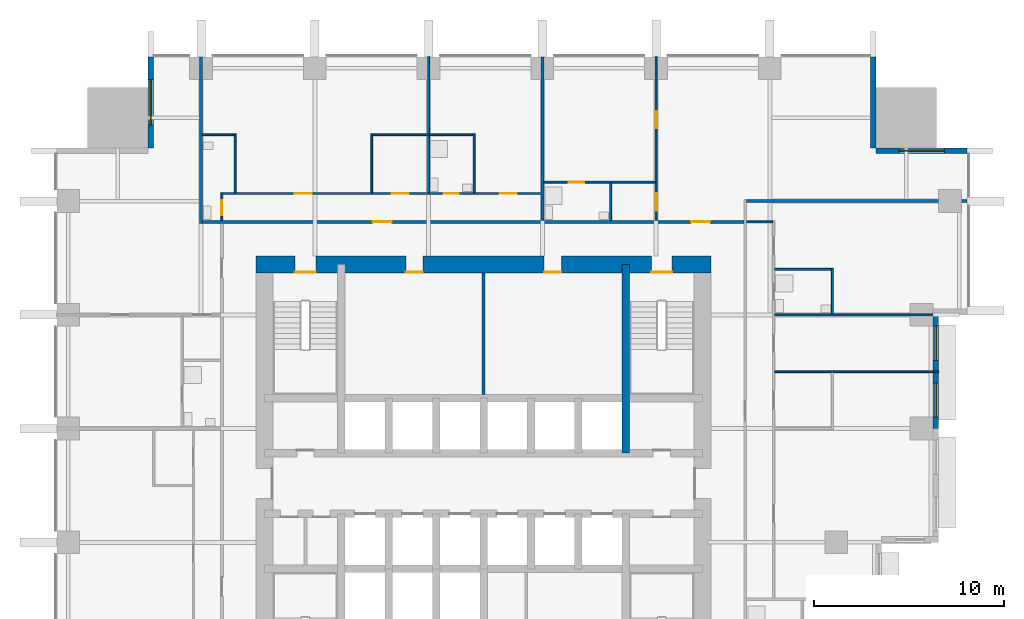
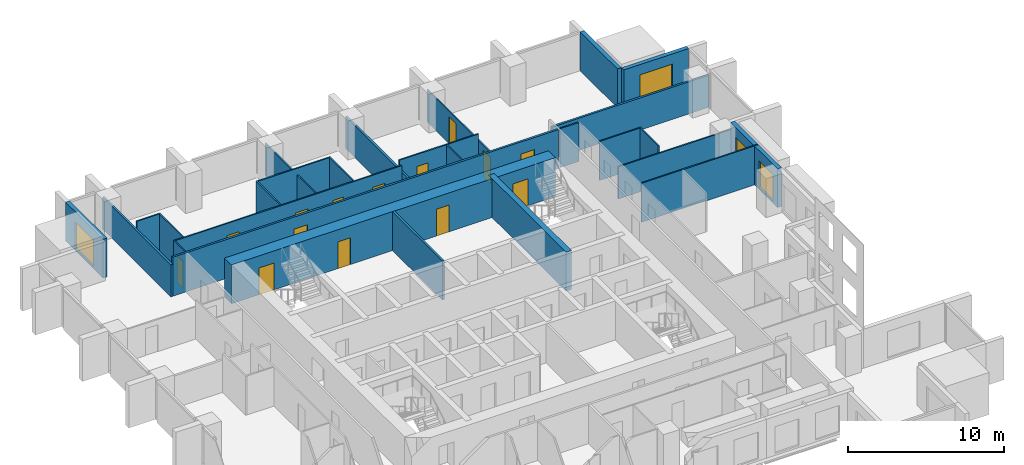
# One storey, part 7 of 10: 27 walls, 14 doors, 4 windows, 18 openings.
"""IFC4 building model written with IfcOpenShell, lengths in metres."""

import ifcopenshell
import ifcopenshell.guid

model = None  # the IFC model being written
_history = None  # IfcOwnerHistory: only IFC2X3 demands one
_inside = {}  # id of a spatial element -> (the spatial element, [elements in it])
_under = {}  # id of a project, library or spatial element -> (it, [spatial elements below it])
_declared = {}  # id of a project -> (the project, [libraries it declares])
_typed = {}  # id of a type object -> (the type object, [elements of that type])
_made_of = {}  # id of a material, layer set ... -> (it, [elements and type objects made of it])


def new_model(schema):
    """Start an empty IFC model of exactly this schema.

    Asked for "IFC4X3", IfcOpenShell would pick the latest addendum, in which some entities
    have other attributes; the version numbers below select the first issue.
    IFC2X3 requires an IfcOwnerHistory on every rooted entity: one is made here for all.
    """
    global model, _history
    if schema == "IFC4X3":
        model = ifcopenshell.file(schema_version=(4, 3, 0, 0))
    else:
        model = ifcopenshell.file(schema=schema)
    _inside.clear()
    _under.clear()
    _declared.clear()
    _typed.clear()
    _made_of.clear()
    _history = None
    if model.schema == "IFC2X3":
        org = make("IfcOrganization", Name="unknown")
        user = make(
            "IfcPersonAndOrganization",
            ThePerson=make("IfcPerson", FamilyName="unknown"),
            TheOrganization=org,
        )
        app = make(
            "IfcApplication",
            ApplicationDeveloper=org,
            Version="unknown",
            ApplicationFullName="unknown",
            ApplicationIdentifier="unknown",
        )
        _history = make(
            "IfcOwnerHistory",
            OwningUser=user,
            OwningApplication=app,
            ChangeAction="ADDED",
            CreationDate=0,
        )
    return model


def make(cls, **values):
    """One entity of the class cls with the attributes given. An attribute that is None is left unset."""
    return model.create_entity(
        cls, **{name: value for name, value in values.items() if value is not None}
    )


def rooted(cls, **values):
    """An entity with a GlobalId (a new one), such as an element, a storey or a relation."""
    return make(cls, GlobalId=ifcopenshell.guid.new(), OwnerHistory=_history, **values)


def si_unit(unit_type, name, prefix=None):
    """IfcSIUnit, for example si_unit("LENGTHUNIT", "METRE", prefix="MILLI")."""
    return make("IfcSIUnit", UnitType=unit_type, Prefix=prefix, Name=name)


def assignment(units):
    """IfcUnitAssignment: the units of a project."""
    return None if units is None else make("IfcUnitAssignment", Units=units)


def point(xyz):
    """IfcCartesianPoint."""
    return None if xyz is None else make("IfcCartesianPoint", Coordinates=xyz)


def direction(xyz):
    """IfcDirection."""
    return None if xyz is None else make("IfcDirection", DirectionRatios=xyz)


def frame(location, z_axis=None, x_axis=None):
    """IfcAxis2Placement3D, a coordinate frame: its origin and axes. An axis left out is left unset."""
    return make(
        "IfcAxis2Placement3D",
        Location=point(location),
        Axis=direction(z_axis),
        RefDirection=direction(x_axis),
    )


def frame_2d(location, x_axis=None):
    """IfcAxis2Placement2D, a coordinate frame in the plane: its origin and x axis."""
    return make(
        "IfcAxis2Placement2D", Location=point(location), RefDirection=direction(x_axis)
    )


def origin():
    """The frame at (0, 0, 0) with its axes left unset."""
    return frame((0.0, 0.0, 0.0))


def place(relative_to, where):
    """IfcLocalPlacement: puts the frame where relative to a parent placement (None: the world)."""
    return make(
        "IfcLocalPlacement", PlacementRelTo=relative_to, RelativePlacement=where
    )


def context(
    kind, dimensions, precision=None, world=None, true_north=None, identifier=None
):
    """IfcGeometricRepresentationContext, for example the 3D "Model" context."""
    return make(
        "IfcGeometricRepresentationContext",
        ContextIdentifier=identifier,
        ContextType=kind,
        CoordinateSpaceDimension=dimensions,
        Precision=precision,
        WorldCoordinateSystem=world,
        TrueNorth=true_north,
    )


def subcontext(parent, identifier, kind, view, scale=None):
    """IfcGeometricRepresentationSubContext, for example "Body" below "Model"."""
    return make(
        "IfcGeometricRepresentationSubContext",
        ContextIdentifier=identifier,
        ContextType=kind,
        ParentContext=parent,
        TargetScale=scale,
        TargetView=view,
    )


def project(units=None, contexts=None):
    """IfcProject with its units and contexts."""
    return rooted(
        "IfcProject",
        Name="project",
        RepresentationContexts=contexts,
        UnitsInContext=assignment(units),
    )


def spatial(cls, under=None, at=None, **own):
    """A site, building, storey or space (cls), placed at a placement, below another one or the project."""
    s = rooted(cls, ObjectPlacement=at, **own)
    if under is not None:
        _under.setdefault(under.id(), (under, []))[1].append(s)
    return s


def profile(cls, at=None, kind="AREA", **sizes):
    """A parametric profile (cls). Its sizes go by their IFC names, for example OverallWidth=200.0."""
    return make(cls, ProfileType=kind, Position=at, **sizes)


def rectangle(**sizes):
    """IfcRectangleProfileDef."""
    return profile("IfcRectangleProfileDef", **sizes)


def extrude(swept, where, along, depth):
    """IfcExtrudedAreaSolid: the profile swept, set in the frame where, extruded along a direction by depth."""
    return make(
        "IfcExtrudedAreaSolid",
        SweptArea=swept,
        Position=where,
        ExtrudedDirection=direction(along),
        Depth=depth,
    )


def shape(context_of_items, identifier, shape_type, items):
    """IfcShapeRepresentation: the items that make up one representation, for example the "Body"."""
    return make(
        "IfcShapeRepresentation",
        ContextOfItems=context_of_items,
        RepresentationIdentifier=identifier,
        RepresentationType=shape_type,
        Items=items,
    )


def material(Name=None, Category=None):
    """IfcMaterial."""
    return make("IfcMaterial", Name=Name, Category=Category)


def layer(
    of_material, thickness, ventilated=None, Name=None, Category=None, Priority=None
):
    """IfcMaterialLayer: one layer of a wall or slab, of a material (None: an air gap)."""
    return make(
        "IfcMaterialLayer",
        Material=of_material,
        LayerThickness=thickness,
        IsVentilated=ventilated,
        Name=Name,
        Category=Category,
        Priority=Priority,
    )


def layer_set(layers, Name=None):
    """IfcMaterialLayerSet."""
    return make("IfcMaterialLayerSet", MaterialLayers=layers, LayerSetName=Name)


def made_of(thing, what):
    """Note that an element or type object is made of a material, layer set ...; save() writes the relation."""
    if what is not None:
        _made_of.setdefault(what.id(), (what, []))[1].append(thing)
    return thing


def type_object(cls, material=None, **own):
    """A type object (cls), such as IfcWallType, which elements share."""
    return made_of(rooted(cls, **own), material)


def element(
    cls,
    number,
    at=None,
    inside=None,
    cuts=None,
    type_object=None,
    material=None,
    context=None,
    identifier="Body",
    shape_type=None,
    held_by="IfcProductDefinitionShape",
    body=None,
    shapes=None,
    **own,
):
    """One element of the class cls, such as IfcWall. Its Tag is "e" and its number.

    at: its placement. inside: the storey or other place that contains it. cuts: it is an
    opening in that element (IfcRelVoidsElement). A single representation is given by context,
    identifier, shape_type and body (its items); several are given by shapes. held_by: the class
    of the entity that holds the representations. save() writes the other relations.
    """
    e = rooted(cls, Tag="e%d" % number, ObjectPlacement=at, **own)
    if body is not None:
        shapes = [shape(context, identifier, shape_type, body)]
    if shapes is not None:
        e.Representation = make(held_by, Representations=shapes)
    if inside is not None:
        _inside.setdefault(inside.id(), (inside, []))[1].append(e)
    if cuts is not None:
        rooted(
            "IfcRelVoidsElement", RelatingBuildingElement=cuts, RelatedOpeningElement=e
        )
    if type_object is not None:
        _typed.setdefault(type_object.id(), (type_object, []))[1].append(e)
    return made_of(e, material)


def fill(opening, filler):
    """IfcRelFillsElement: the door or window that sits in an opening."""
    return rooted(
        "IfcRelFillsElement",
        RelatingOpeningElement=opening,
        RelatedBuildingElement=filler,
    )


def aggregate(whole, parts):
    """IfcRelAggregates: a whole, such as a stair, and the parts it consists of."""
    return rooted("IfcRelAggregates", RelatingObject=whole, RelatedObjects=parts)


def save(model, path):
    """Write the relations noted so far, then the file.

    IfcRelAggregates (storeys below a building ...), IfcRelContainedInSpatialStructure (elements
    in a storey), IfcRelDefinesByType, IfcRelAssociatesMaterial and IfcRelDeclares: one each for
    every whole, place, type object, material and project.
    """
    for whole, parts in _under.values():
        aggregate(whole, parts)
    for where, things in _inside.values():
        rooted(
            "IfcRelContainedInSpatialStructure",
            RelatedElements=things,
            RelatingStructure=where,
        )
    for kind, things in _typed.values():
        rooted("IfcRelDefinesByType", RelatedObjects=things, RelatingType=kind)
    for what, things in _made_of.values():
        rooted("IfcRelAssociatesMaterial", RelatedObjects=things, RelatingMaterial=what)
    for by, libraries in _declared.values():
        rooted("IfcRelDeclares", RelatingContext=by, RelatedDefinitions=libraries)
    model.write(path)


model = new_model("IFC4")

# Units and contexts
model_context = context("Model", 3, precision=1e-05, world=origin(), true_north=direction((0.0, 1.0)))
body_context = subcontext(model_context, "Body", "Model", "MODEL_VIEW")
ifc_project = project(units=[si_unit("LENGTHUNIT", "METRE"), si_unit("AREAUNIT", "SQUARE_METRE"), si_unit("VOLUMEUNIT", "CUBIC_METRE"), si_unit("PLANEANGLEUNIT", "RADIAN"), si_unit("MASSUNIT", "GRAM", prefix="KILO")], contexts=[model_context])

# Site, building, storey
site_placement = place(None, origin())
site = spatial("IfcSite", under=ifc_project, at=site_placement, CompositionType="ELEMENT")
building_placement = place(site_placement, origin())
building = spatial("IfcBuilding", under=site, at=building_placement, Name="Amberfall Residences", CompositionType="ELEMENT")
storey_placement = place(building_placement, frame((0.0, 0.0, 40.0)))
storey = spatial("IfcBuildingStorey", under=building, at=storey_placement, Name="L10", CompositionType="ELEMENT", Elevation=40.0)

# Wall, opening, window
ifc_material_1 = material(Name="Pale stone cladding on insulated backing", Category="masonry")
ifc_layer_1 = layer(ifc_material_1, 0.300048828125)
ifc_layer_set_1 = layer_set([ifc_layer_1], Name="Bronze clad wall 300")
wall_type_1 = type_object("IfcWallType", Name="Bronze clad wall 300", PredefinedType="SOLIDWALL", material=ifc_layer_set_1)
wall_1_placement = place(storey_placement, frame((100.0, 63.050048828125, 0.0), z_axis=(0.0, 0.0, 1.0), x_axis=(-1.0, 0.0, 0.0)))
wall_1 = element("IfcWall", 1, at=wall_1_placement, inside=storey, type_object=wall_type_1, Name="External wall L10 NE", PredefinedType="SOLIDWALL", context=body_context, shape_type="SweptSolid", body=[
    extrude(rectangle(XDim=4.800048828125, YDim=0.300048828125, at=frame_2d((2.39990234375, 0.0))), origin(), (0.0, 0.0, 1.0), 3.050048828125),
])
opening_1_placement = place(wall_1_placement, frame((1.199951171875, 0.0, 0.14990234375)))
opening_1 = element("IfcOpeningElement", 2, at=opening_1_placement, cuts=wall_1, Name="Opening WN5", PredefinedType="OPENING", context=body_context, shape_type="SweptSolid", body=[
    extrude(rectangle(XDim=2.39990234375, YDim=2.10009765625, at=frame_2d((1.199951171875, 1.050048828125))), frame((0.0, 0.159912109375, 0.0), z_axis=(0.0, -1.0, 0.0), x_axis=(1.0, 0.0, 0.0)), (0.0, 0.0, 1.0), 0.320068359375),
])
ifc_material_2 = material(Name="Bronze aluminium framed glazing", Category="aluminium")
window_type_1 = type_object("IfcWindowType", Name="Glazed opening 2400 x 2100 bronze", PartitioningType="DOUBLE_PANEL_VERTICAL", PredefinedType="WINDOW", material=ifc_material_2)
window_1_placement = place(opening_1_placement, origin())
window_1 = element("IfcWindow", 3, at=window_1_placement, inside=storey, type_object=window_type_1, Name="Window L10 NE", OverallHeight=2.10009765625, OverallWidth=2.39990234375, PartitioningType="DOUBLE_PANEL_VERTICAL", PredefinedType="WINDOW", context=body_context, shape_type="SweptSolid", body=[
    extrude(rectangle(XDim=2.39990234375, YDim=2.10009765625, at=frame_2d((1.199951171875, 1.050048828125))), frame((0.0, 0.030029296875, 0.0), z_axis=(0.0, -1.0, 0.0), x_axis=(1.0, 0.0, 0.0)), (0.0, 0.0, 1.0), 0.06005859375),
])
fill(opening_1, window_1)

# Wall
wall_2_placement = place(storey_placement, frame((95.050048828125, 63.199951171875, 0.0), z_axis=(0.0, 0.0, 1.0), x_axis=(0.0, 1.0, 0.0)))
element("IfcWall", 4, at=wall_2_placement, inside=storey, type_object=wall_type_1, Name="External wall L10 NE", PredefinedType="SOLIDWALL", context=body_context, shape_type="SweptSolid", body=[
    extrude(rectangle(XDim=4.800048828125, YDim=0.300048828125, at=frame_2d((2.39990234375, 0.0))), origin(), (0.0, 0.0, 1.0), 3.050048828125),
])

# Wall, opening, window
wall_3_placement = place(storey_placement, frame((56.949951171875, 68.0, 0.0), z_axis=(0.0, 0.0, 1.0), x_axis=(0.0, -1.0, 0.0)))
wall_3 = element("IfcWall", 5, at=wall_3_placement, inside=storey, type_object=wall_type_1, Name="External wall L10 NW", PredefinedType="SOLIDWALL", context=body_context, shape_type="SweptSolid", body=[
    extrude(rectangle(XDim=4.800048828125, YDim=0.300048828125, at=frame_2d((2.39990234375, 0.0))), origin(), (0.0, 0.0, 1.0), 3.050048828125),
])
opening_2_placement = place(wall_3_placement, frame((1.199951171875, 0.0, 0.14990234375)))
opening_2 = element("IfcOpeningElement", 6, at=opening_2_placement, cuts=wall_3, Name="Opening WN5", PredefinedType="OPENING", context=body_context, shape_type="SweptSolid", body=[
    extrude(rectangle(XDim=2.39990234375, YDim=2.10009765625, at=frame_2d((1.199951171875, 1.050048828125))), frame((0.0, 0.159912109375, 0.0), z_axis=(0.0, -1.0, 0.0), x_axis=(1.0, 0.0, 0.0)), (0.0, 0.0, 1.0), 0.320068359375),
])
window_2_placement = place(opening_2_placement, origin())
window_2 = element("IfcWindow", 7, at=window_2_placement, inside=storey, type_object=window_type_1, Name="Window L10 NW", OverallHeight=2.10009765625, OverallWidth=2.39990234375, PartitioningType="DOUBLE_PANEL_VERTICAL", PredefinedType="WINDOW", context=body_context, shape_type="SweptSolid", body=[
    extrude(rectangle(XDim=2.39990234375, YDim=2.10009765625, at=frame_2d((1.199951171875, 1.050048828125))), frame((0.0, 0.030029296875, 0.0), z_axis=(0.0, -1.0, 0.0), x_axis=(1.0, 0.0, 0.0)), (0.0, 0.0, 1.0), 0.06005859375),
])
fill(opening_2, window_2)

# Wall, openings, windows
wall_4_placement = place(storey_placement, frame((98.35009765625, 48.39990234375, 0.0), z_axis=(0.0, 0.0, 1.0), x_axis=(0.0, 1.0, 0.0)))
wall_4 = element("IfcWall", 8, at=wall_4_placement, inside=storey, type_object=wall_type_1, Name="Stone wall L10 E", PredefinedType="SOLIDWALL", context=body_context, shape_type="SweptSolid", body=[
    extrude(rectangle(XDim=6.0, YDim=0.300048828125, at=frame_2d((3.0, 0.0))), origin(), (0.0, 0.0, 1.0), 3.050048828125),
])
opening_3_placement = place(wall_4_placement, frame((0.60009765625, 0.0, 0.14990234375)))
opening_3 = element("IfcOpeningElement", 9, at=opening_3_placement, cuts=wall_4, Name="Opening WN6", PredefinedType="OPENING", context=body_context, shape_type="SweptSolid", body=[
    extrude(rectangle(XDim=1.800048828125, YDim=2.10009765625, at=frame_2d((0.89990234375, 1.050048828125))), frame((0.0, 0.159912109375, 0.0), z_axis=(0.0, -1.0, 0.0), x_axis=(1.0, 0.0, 0.0)), (0.0, 0.0, 1.0), 0.320068359375),
])
opening_4_placement = place(wall_4_placement, frame((3.60009765625, 0.0, 0.14990234375)))
opening_4 = element("IfcOpeningElement", 10, at=opening_4_placement, cuts=wall_4, Name="Opening WN6", PredefinedType="OPENING", context=body_context, shape_type="SweptSolid", body=[
    extrude(rectangle(XDim=1.800048828125, YDim=2.10009765625, at=frame_2d((0.89990234375, 1.050048828125))), frame((0.0, 0.159912109375, 0.0), z_axis=(0.0, -1.0, 0.0), x_axis=(1.0, 0.0, 0.0)), (0.0, 0.0, 1.0), 0.320068359375),
])
window_type_2 = type_object("IfcWindowType", Name="Glazed opening 1800 x 2100 bronze", PartitioningType="DOUBLE_PANEL_VERTICAL", PredefinedType="WINDOW", material=ifc_material_2)
window_3_placement = place(opening_3_placement, origin())
window_3 = element("IfcWindow", 11, at=window_3_placement, inside=storey, type_object=window_type_2, Name="Window L10 E", OverallHeight=2.10009765625, OverallWidth=1.800048828125, PartitioningType="DOUBLE_PANEL_VERTICAL", PredefinedType="WINDOW", context=body_context, shape_type="SweptSolid", body=[
    extrude(rectangle(XDim=1.800048828125, YDim=2.10009765625, at=frame_2d((0.89990234375, 1.050048828125))), frame((0.0, 0.030029296875, 0.0), z_axis=(0.0, -1.0, 0.0), x_axis=(1.0, 0.0, 0.0)), (0.0, 0.0, 1.0), 0.06005859375),
])
fill(opening_3, window_3)
window_4_placement = place(opening_4_placement, origin())
window_4 = element("IfcWindow", 12, at=window_4_placement, inside=storey, type_object=window_type_2, Name="Window L10 E", OverallHeight=2.10009765625, OverallWidth=1.800048828125, PartitioningType="DOUBLE_PANEL_VERTICAL", PredefinedType="WINDOW", context=body_context, shape_type="SweptSolid", body=[
    extrude(rectangle(XDim=1.800048828125, YDim=2.10009765625, at=frame_2d((0.89990234375, 1.050048828125))), frame((0.0, 0.030029296875, 0.0), z_axis=(0.0, -1.0, 0.0), x_axis=(1.0, 0.0, 0.0)), (0.0, 0.0, 1.0), 0.06005859375),
])
fill(opening_4, window_4)

# Wall
ifc_material_3 = material(Name="Concrete C80", Category="concrete")
ifc_layer_2 = layer(ifc_material_3, 0.39990234375)
ifc_layer_set_2 = layer_set([ifc_layer_2], Name="Core wall 400 C80")
wall_type_2 = type_object("IfcWallType", Name="Core wall 400 C80", PredefinedType="SHEAR", material=ifc_layer_set_2)
wall_5_placement = place(storey_placement, frame((82.0, 47.10009765625, 0.0), z_axis=(0.0, 0.0, 1.0), x_axis=(0.0, 1.0, 0.0)))
element("IfcWall", 13, at=wall_5_placement, inside=storey, type_object=wall_type_2, Name="Core wall RW2 L10 V195N", PredefinedType="SHEAR", context=body_context, shape_type="SweptSolid", body=[
    extrude(rectangle(XDim=9.949951171875, YDim=0.39990234375, at=frame_2d((4.97509765625, 0.0))), origin(), (0.0, 0.0, 1.0), 3.050048828125),
])

# Wall, openings, doors
ifc_layer_3 = layer(ifc_material_3, 0.89990234375)
ifc_layer_set_3 = layer_set([ifc_layer_3], Name="Core wall 900 C80")
wall_type_3 = type_object("IfcWallType", Name="Core wall 900 C80", PredefinedType="SHEAR", material=ifc_layer_set_3)
wall_6_placement = place(storey_placement, frame((62.5, 57.050048828125, 0.0), z_axis=(0.0, 0.0, 1.0), x_axis=(1.0, 0.0, 0.0)))
wall_6 = element("IfcWall", 14, at=wall_6_placement, inside=storey, type_object=wall_type_3, Name="Core wall RW1 L10 ON", PredefinedType="SHEAR", context=body_context, shape_type="SweptSolid", body=[
    extrude(rectangle(XDim=24.0, YDim=0.89990234375, at=frame_2d((12.0, 0.0))), origin(), (0.0, 0.0, 1.0), 3.050048828125),
])
opening_5_placement = place(wall_6_placement, frame((20.85009765625, 0.0, 0.0)))
opening_5 = element("IfcOpeningElement", 15, at=opening_5_placement, cuts=wall_6, Name="Opening SD1", PredefinedType="OPENING", context=body_context, shape_type="SweptSolid", body=[
    extrude(rectangle(XDim=1.10009765625, YDim=2.10009765625, at=frame_2d((0.550048828125, 1.050048828125))), frame((0.0, 0.4599609375, 0.0), z_axis=(0.0, -1.0, 0.0), x_axis=(1.0, 0.0, 0.0)), (0.0, 0.0, 1.0), 0.919921875),
])
opening_6_placement = place(wall_6_placement, frame((2.050048828125, 0.0, 0.0)))
opening_6 = element("IfcOpeningElement", 16, at=opening_6_placement, cuts=wall_6, Name="Opening SD1", PredefinedType="OPENING", context=body_context, shape_type="SweptSolid", body=[
    extrude(rectangle(XDim=1.10009765625, YDim=2.10009765625, at=frame_2d((0.550048828125, 1.050048828125))), frame((0.0, 0.4599609375, 0.0), z_axis=(0.0, -1.0, 0.0), x_axis=(1.0, 0.0, 0.0)), (0.0, 0.0, 1.0), 0.919921875),
])
opening_7_placement = place(wall_6_placement, frame((7.89990234375, 0.0, 0.0)))
opening_7 = element("IfcOpeningElement", 17, at=opening_7_placement, cuts=wall_6, Name="Opening RD1", PredefinedType="OPENING", context=body_context, shape_type="SweptSolid", body=[
    extrude(rectangle(XDim=0.89990234375, YDim=2.10009765625, at=frame_2d((0.449951171875, 1.050048828125))), frame((0.0, 0.4599609375, 0.0), z_axis=(0.0, -1.0, 0.0), x_axis=(1.0, 0.0, 0.0)), (0.0, 0.0, 1.0), 0.919921875),
])
opening_8_placement = place(wall_6_placement, frame((15.199951171875, 0.0, 0.0)))
opening_8 = element("IfcOpeningElement", 18, at=opening_8_placement, cuts=wall_6, Name="Opening RD1", PredefinedType="OPENING", context=body_context, shape_type="SweptSolid", body=[
    extrude(rectangle(XDim=0.89990234375, YDim=2.10009765625, at=frame_2d((0.449951171875, 1.050048828125))), frame((0.0, 0.4599609375, 0.0), z_axis=(0.0, -1.0, 0.0), x_axis=(1.0, 0.0, 0.0)), (0.0, 0.0, 1.0), 0.919921875),
])
ifc_material_4 = material(Name="Steel fire door set", Category="steel")
door_type_1 = type_object("IfcDoorType", Name="Service room door 900 x 2100", OperationType="SINGLE_SWING_LEFT", PredefinedType="DOOR", material=ifc_material_4)
door_1_placement = place(opening_7_placement, origin())
door_1 = element("IfcDoor", 19, at=door_1_placement, inside=storey, type_object=door_type_1, Name="RD1 L10", OperationType="SINGLE_SWING_RIGHT", OverallHeight=2.10009765625, OverallWidth=0.89990234375, PredefinedType="DOOR", context=body_context, shape_type="SweptSolid", body=[
    extrude(rectangle(XDim=0.89990234375, YDim=2.10009765625, at=frame_2d((0.449951171875, 1.050048828125))), frame((0.0, -0.3876953125, 0.0), z_axis=(0.0, -1.0, 0.0), x_axis=(1.0, 0.0, 0.0)), (0.0, 0.0, 1.0), 0.050048828125),
])
fill(opening_7, door_1)
door_2_placement = place(opening_8_placement, origin())
door_2 = element("IfcDoor", 20, at=door_2_placement, inside=storey, type_object=door_type_1, Name="RD1 L10", OperationType="SINGLE_SWING_RIGHT", OverallHeight=2.10009765625, OverallWidth=0.89990234375, PredefinedType="DOOR", context=body_context, shape_type="SweptSolid", body=[
    extrude(rectangle(XDim=0.89990234375, YDim=2.10009765625, at=frame_2d((0.449951171875, 1.050048828125))), frame((0.0, -0.3876953125, 0.0), z_axis=(0.0, -1.0, 0.0), x_axis=(1.0, 0.0, 0.0)), (0.0, 0.0, 1.0), 0.050048828125),
])
fill(opening_8, door_2)
door_type_2 = type_object("IfcDoorType", Name="Stair door 1100 x 2100", OperationType="SINGLE_SWING_LEFT", PredefinedType="DOOR", material=ifc_material_4)
door_3_placement = place(opening_5_placement, origin())
door_3 = element("IfcDoor", 21, at=door_3_placement, inside=storey, type_object=door_type_2, Name="SD1 L10", OperationType="SINGLE_SWING_RIGHT", OverallHeight=2.10009765625, OverallWidth=1.10009765625, PredefinedType="DOOR", context=body_context, shape_type="SweptSolid", body=[
    extrude(rectangle(XDim=1.10009765625, YDim=2.10009765625, at=frame_2d((0.550048828125, 1.050048828125))), frame((0.0, -0.3876953125, 0.0), z_axis=(0.0, -1.0, 0.0), x_axis=(1.0, 0.0, 0.0)), (0.0, 0.0, 1.0), 0.050048828125),
])
fill(opening_5, door_3)
door_4_placement = place(opening_6_placement, origin())
door_4 = element("IfcDoor", 22, at=door_4_placement, inside=storey, type_object=door_type_2, Name="SD1 L10", OperationType="SINGLE_SWING_LEFT", OverallHeight=2.10009765625, OverallWidth=1.10009765625, PredefinedType="DOOR", context=body_context, shape_type="SweptSolid", body=[
    extrude(rectangle(XDim=1.10009765625, YDim=2.10009765625, at=frame_2d((0.550048828125, 1.050048828125))), frame((0.0, -0.3876953125, 0.0), z_axis=(0.0, -1.0, 0.0), x_axis=(1.0, 0.0, 0.0)), (0.0, 0.0, 1.0), 0.050048828125),
])
fill(opening_6, door_4)

# Wall, opening, door
ifc_material_5 = material(Name="Gypsum board on metal stud")
ifc_layer_4 = layer(ifc_material_5, 0.10009765625)
ifc_layer_set_4 = layer_set([ifc_layer_4], Name="Flat partition 100")
wall_type_4 = type_object("IfcWallType", Name="Flat partition 100", PredefinedType="PARTITIONING", material=ifc_layer_set_4)
wall_7_placement = place(storey_placement, frame((60.699951171875, 59.375, 0.0), z_axis=(0.0, 0.0, 1.0), x_axis=(0.0, 1.0, 0.0)))
wall_7 = element("IfcWall", 23, at=wall_7_placement, inside=storey, type_object=wall_type_4, Name="Partition 005", PredefinedType="PARTITIONING", context=body_context, shape_type="SweptSolid", body=[
    extrude(rectangle(XDim=1.47509765625, YDim=0.10009765625, at=frame_2d((0.737548828125, 0.0))), origin(), (0.0, 0.0, 1.0), 3.050048828125),
])
opening_9_placement = place(wall_7_placement, frame((0.27490234375, 0.0, 0.0)))
opening_9 = element("IfcOpeningElement", 24, at=opening_9_placement, cuts=wall_7, Name="Opening D42", PredefinedType="OPENING", context=body_context, shape_type="SweptSolid", body=[
    extrude(rectangle(XDim=0.800048828125, YDim=2.10009765625, at=frame_2d((0.39990234375, 1.050048828125))), frame((0.0, 0.06005859375, 0.0), z_axis=(0.0, -1.0, 0.0), x_axis=(1.0, 0.0, 0.0)), (0.0, 0.0, 1.0), 0.1201171875),
])
ifc_material_6 = material(Name="Timber", Category="wood")
door_type_3 = type_object("IfcDoorType", Name="Bathroom door 800 x 2100", OperationType="SINGLE_SWING_LEFT", PredefinedType="DOOR", material=ifc_material_6)
door_5_placement = place(opening_9_placement, origin())
door_5 = element("IfcDoor", 25, at=door_5_placement, inside=storey, type_object=door_type_3, Name="Door 1005 wc1", OperationType="SINGLE_SWING_LEFT", OverallHeight=2.10009765625, OverallWidth=0.800048828125, PredefinedType="DOOR", context=body_context, shape_type="SweptSolid", body=[
    extrude(rectangle(XDim=0.800048828125, YDim=2.10009765625, at=frame_2d((0.39990234375, 1.050048828125))), frame((0.0, 0.02490234375, 0.0), z_axis=(0.0, -1.0, 0.0), x_axis=(1.0, 0.0, 0.0)), (0.0, 0.0, 1.0), 0.050048828125),
])
fill(opening_9, door_5)

# Walls
for number, where, z_axis, x_axis, name in (
    (26, (61.39990234375, 60.85009765625, 0.0), (0.0, 0.0, 1.0), (0.0, 1.0, 0.0), "Partition 006"),
    (27, (68.60009765625, 60.85009765625, 0.0), (0.0, 0.0, 1.0), (0.0, 1.0, 0.0), "Partition 008"),
):
    element("IfcWall", number, at=place(storey_placement, frame(where, z_axis=z_axis, x_axis=x_axis)), inside=storey, type_object=wall_type_4, Name=name, PredefinedType="PARTITIONING", context=body_context, shape_type="SweptSolid", body=[
        extrude(rectangle(XDim=3.099853515625, YDim=0.10009765625, at=frame_2d((1.5498046875, 0.0))), origin(), (0.0, 0.0, 1.0), 3.050048828125),
    ])
wall_8_placement = place(storey_placement, frame((71.60009765625, 60.85009765625, 0.0), z_axis=(0.0, 0.0, 1.0), x_axis=(0.0, 1.0, 0.0)))
element("IfcWall", 28, at=wall_8_placement, inside=storey, type_object=wall_type_4, Name="Partition 010", PredefinedType="PARTITIONING", context=body_context, shape_type="SweptSolid", body=[
    extrude(rectangle(XDim=7.14990234375, YDim=0.10009765625, at=frame_2d((3.574951171875, 0.0))), origin(), (0.0, 0.0, 1.0), 2.51611328125),
])
wall_9_placement = place(storey_placement, frame((74.0, 60.85009765625, 0.0), z_axis=(0.0, 0.0, 1.0), x_axis=(0.0, 1.0, 0.0)))
element("IfcWall", 29, at=wall_9_placement, inside=storey, type_object=wall_type_4, Name="Partition 011", PredefinedType="PARTITIONING", context=body_context, shape_type="SweptSolid", body=[
    extrude(rectangle(XDim=3.099853515625, YDim=0.10009765625, at=frame_2d((1.5498046875, 0.0))), origin(), (0.0, 0.0, 1.0), 3.050048828125),
])
wall_10_placement = place(storey_placement, frame((81.199951171875, 59.375, 0.0), z_axis=(0.0, 0.0, 1.0), x_axis=(0.0, 1.0, 0.0)))
element("IfcWall", 30, at=wall_10_placement, inside=storey, type_object=wall_type_4, Name="Partition 013", PredefinedType="PARTITIONING", context=body_context, shape_type="SweptSolid", body=[
    extrude(rectangle(XDim=1.97509765625, YDim=0.10009765625, at=frame_2d((0.987548828125, 0.0))), origin(), (0.0, 0.0, 1.0), 3.050048828125),
])

# Wall, openings, doors
wall_11_placement = place(storey_placement, frame((83.60009765625, 59.375, 0.0), z_axis=(0.0, 0.0, 1.0), x_axis=(0.0, 1.0, 0.0)))
wall_11 = element("IfcWall", 31, at=wall_11_placement, inside=storey, type_object=wall_type_4, Name="Partition 015", PredefinedType="PARTITIONING", context=body_context, shape_type="SweptSolid", body=[
    extrude(rectangle(XDim=8.625, YDim=0.10009765625, at=frame_2d((4.3125, 0.0))), origin(), (0.0, 0.0, 1.0), 2.51611328125),
])
opening_10_placement = place(wall_11_placement, frame((0.52490234375, 0.0, 0.0)))
opening_10 = element("IfcOpeningElement", 32, at=opening_10_placement, cuts=wall_11, Name="Opening D41", PredefinedType="OPENING", context=body_context, shape_type="SweptSolid", body=[
    extrude(rectangle(XDim=0.89990234375, YDim=2.10009765625, at=frame_2d((0.449951171875, 1.050048828125))), frame((0.0, 0.06005859375, 0.0), z_axis=(0.0, -1.0, 0.0), x_axis=(1.0, 0.0, 0.0)), (0.0, 0.0, 1.0), 0.1201171875),
])
opening_11_placement = place(wall_11_placement, frame((4.875, 0.0, 0.0)))
opening_11 = element("IfcOpeningElement", 33, at=opening_11_placement, cuts=wall_11, Name="Opening D41", PredefinedType="OPENING", context=body_context, shape_type="SweptSolid", body=[
    extrude(rectangle(XDim=0.89990234375, YDim=2.10009765625, at=frame_2d((0.449951171875, 1.050048828125))), frame((0.0, 0.06005859375, 0.0), z_axis=(0.0, -1.0, 0.0), x_axis=(1.0, 0.0, 0.0)), (0.0, 0.0, 1.0), 0.1201171875),
])
door_type_4 = type_object("IfcDoorType", Name="Internal door 900 x 2100", OperationType="SINGLE_SWING_LEFT", PredefinedType="DOOR", material=ifc_material_6)
door_6_placement = place(opening_10_placement, origin())
door_6 = element("IfcDoor", 34, at=door_6_placement, inside=storey, type_object=door_type_4, Name="Door 1006 kitchen", OperationType="SINGLE_SWING_LEFT", OverallHeight=2.10009765625, OverallWidth=0.89990234375, PredefinedType="DOOR", context=body_context, shape_type="SweptSolid", body=[
    extrude(rectangle(XDim=0.89990234375, YDim=2.10009765625, at=frame_2d((0.449951171875, 1.050048828125))), frame((0.0, 0.02490234375, 0.0), z_axis=(0.0, -1.0, 0.0), x_axis=(1.0, 0.0, 0.0)), (0.0, 0.0, 1.0), 0.050048828125),
])
fill(opening_10, door_6)
door_7_placement = place(opening_11_placement, origin())
door_7 = element("IfcDoor", 35, at=door_7_placement, inside=storey, type_object=door_type_4, Name="Door 1006 bedroom1", OperationType="SINGLE_SWING_LEFT", OverallHeight=2.10009765625, OverallWidth=0.89990234375, PredefinedType="DOOR", context=body_context, shape_type="SweptSolid", body=[
    extrude(rectangle(XDim=0.89990234375, YDim=2.10009765625, at=frame_2d((0.449951171875, 1.050048828125))), frame((0.0, 0.02490234375, 0.0), z_axis=(0.0, -1.0, 0.0), x_axis=(1.0, 0.0, 0.0)), (0.0, 0.0, 1.0), 0.050048828125),
])
fill(opening_11, door_7)

# Walls
wall_12_placement = place(storey_placement, frame((92.89990234375, 54.449951171875, 0.0), z_axis=(0.0, 0.0, 1.0), x_axis=(0.0, 1.0, 0.0)))
element("IfcWall", 36, at=wall_12_placement, inside=storey, type_object=wall_type_4, Name="Partition 021", PredefinedType="PARTITIONING", context=body_context, shape_type="SweptSolid", body=[
    extrude(rectangle(XDim=2.400146484375, YDim=0.10009765625, at=frame_2d((1.2001953125, 0.0))), origin(), (0.0, 0.0, 1.0), 3.050048828125),
])
wall_13_placement = place(storey_placement, frame((59.675048828125, 63.89990234375, 0.0), z_axis=(0.0, 0.0, 1.0), x_axis=(1.0, 0.0, 0.0)))
element("IfcWall", 37, at=wall_13_placement, inside=storey, type_object=wall_type_4, Name="Partition 022", PredefinedType="PARTITIONING", context=body_context, shape_type="SweptSolid", body=[
    extrude(rectangle(XDim=1.675048828125, YDim=0.10009765625, at=frame_2d((0.83740234375, 0.0))), origin(), (0.0, 0.0, 1.0), 3.050048828125),
])
wall_14_placement = place(storey_placement, frame((68.64990234375, 63.89990234375, 0.0), z_axis=(0.0, 0.0, 1.0), x_axis=(1.0, 0.0, 0.0)))
element("IfcWall", 38, at=wall_14_placement, inside=storey, type_object=wall_type_4, Name="Partition 023", PredefinedType="PARTITIONING", context=body_context, shape_type="SweptSolid", body=[
    extrude(rectangle(XDim=5.300048828125, YDim=0.10009765625, at=frame_2d((2.64990234375, 0.0))), origin(), (0.0, 0.0, 1.0), 3.050048828125),
])

# Wall, opening, door
wall_15_placement = place(storey_placement, frame((83.550048828125, 61.39990234375, 0.0), z_axis=(0.0, 0.0, 1.0), x_axis=(-1.0, 0.0, 0.0)))
wall_15 = element("IfcWall", 39, at=wall_15_placement, inside=storey, type_object=wall_type_4, Name="Partition 024", PredefinedType="PARTITIONING", context=body_context, shape_type="SweptSolid", body=[
    extrude(rectangle(XDim=5.875, YDim=0.10009765625, at=frame_2d((2.9375, 0.0))), origin(), (0.0, 0.0, 1.0), 3.050048828125),
])
opening_12_placement = place(wall_15_placement, frame((3.75, 0.0, 0.0)))
opening_12 = element("IfcOpeningElement", 40, at=opening_12_placement, cuts=wall_15, Name="Opening D42", PredefinedType="OPENING", context=body_context, shape_type="SweptSolid", body=[
    extrude(rectangle(XDim=0.800048828125, YDim=2.10009765625, at=frame_2d((0.39990234375, 1.050048828125))), frame((0.0, 0.06005859375, 0.0), z_axis=(0.0, -1.0, 0.0), x_axis=(1.0, 0.0, 0.0)), (0.0, 0.0, 1.0), 0.1201171875),
])
door_8_placement = place(opening_12_placement, origin())
door_8 = element("IfcDoor", 41, at=door_8_placement, inside=storey, type_object=door_type_3, Name="Door 1006 bath1", OperationType="SINGLE_SWING_LEFT", OverallHeight=2.10009765625, OverallWidth=0.800048828125, PredefinedType="DOOR", context=body_context, shape_type="SweptSolid", body=[
    extrude(rectangle(XDim=0.800048828125, YDim=2.10009765625, at=frame_2d((0.39990234375, 1.050048828125))), frame((0.0, 0.02490234375, 0.0), z_axis=(0.0, -1.0, 0.0), x_axis=(1.0, 0.0, 0.0)), (0.0, 0.0, 1.0), 0.050048828125),
])
fill(opening_12, door_8)

# Wall, openings, doors
wall_16_placement = place(storey_placement, frame((60.75, 60.800048828125, 0.0), z_axis=(0.0, 0.0, 1.0), x_axis=(1.0, 0.0, 0.0)))
wall_16 = element("IfcWall", 42, at=wall_16_placement, inside=storey, type_object=wall_type_4, Name="Partition 025", PredefinedType="PARTITIONING", context=body_context, shape_type="SweptSolid", body=[
    extrude(rectangle(XDim=16.77490234375, YDim=0.10009765625, at=frame_2d((8.387451171875, 0.0))), origin(), (0.0, 0.0, 1.0), 3.050048828125),
])
opening_13_placement = place(wall_16_placement, frame((3.800048828125, 0.0, 0.0)))
opening_13 = element("IfcOpeningElement", 43, at=opening_13_placement, cuts=wall_16, Name="Opening D41", PredefinedType="OPENING", context=body_context, shape_type="SweptSolid", body=[
    extrude(rectangle(XDim=0.89990234375, YDim=2.10009765625, at=frame_2d((0.449951171875, 1.050048828125))), frame((0.0, 0.06005859375, 0.0), z_axis=(0.0, -1.0, 0.0), x_axis=(1.0, 0.0, 0.0)), (0.0, 0.0, 1.0), 0.1201171875),
])
opening_14_placement = place(wall_16_placement, frame((8.89990234375, 0.0, 0.0)))
opening_14 = element("IfcOpeningElement", 44, at=opening_14_placement, cuts=wall_16, Name="Opening D41", PredefinedType="OPENING", context=body_context, shape_type="SweptSolid", body=[
    extrude(rectangle(XDim=0.89990234375, YDim=2.10009765625, at=frame_2d((0.449951171875, 1.050048828125))), frame((0.0, 0.06005859375, 0.0), z_axis=(0.0, -1.0, 0.0), x_axis=(1.0, 0.0, 0.0)), (0.0, 0.0, 1.0), 0.1201171875),
])
opening_15_placement = place(wall_16_placement, frame((14.60009765625, 0.0, 0.0)))
opening_15 = element("IfcOpeningElement", 45, at=opening_15_placement, cuts=wall_16, Name="Opening D41", PredefinedType="OPENING", context=body_context, shape_type="SweptSolid", body=[
    extrude(rectangle(XDim=0.89990234375, YDim=2.10009765625, at=frame_2d((0.449951171875, 1.050048828125))), frame((0.0, 0.06005859375, 0.0), z_axis=(0.0, -1.0, 0.0), x_axis=(1.0, 0.0, 0.0)), (0.0, 0.0, 1.0), 0.1201171875),
])
opening_16_placement = place(wall_16_placement, frame((11.64990234375, 0.0, 0.0)))
opening_16 = element("IfcOpeningElement", 46, at=opening_16_placement, cuts=wall_16, Name="Opening D42", PredefinedType="OPENING", context=body_context, shape_type="SweptSolid", body=[
    extrude(rectangle(XDim=0.800048828125, YDim=2.10009765625, at=frame_2d((0.39990234375, 1.050048828125))), frame((0.0, 0.06005859375, 0.0), z_axis=(0.0, -1.0, 0.0), x_axis=(1.0, 0.0, 0.0)), (0.0, 0.0, 1.0), 0.1201171875),
])
door_9_placement = place(opening_16_placement, origin())
door_9 = element("IfcDoor", 47, at=door_9_placement, inside=storey, type_object=door_type_3, Name="Door 1005 bath1", OperationType="SINGLE_SWING_LEFT", OverallHeight=2.10009765625, OverallWidth=0.800048828125, PredefinedType="DOOR", context=body_context, shape_type="SweptSolid", body=[
    extrude(rectangle(XDim=0.800048828125, YDim=2.10009765625, at=frame_2d((0.39990234375, 1.050048828125))), frame((0.0, 0.02490234375, 0.0), z_axis=(0.0, -1.0, 0.0), x_axis=(1.0, 0.0, 0.0)), (0.0, 0.0, 1.0), 0.050048828125),
])
fill(opening_16, door_9)
door_10_placement = place(opening_13_placement, origin())
door_10 = element("IfcDoor", 48, at=door_10_placement, inside=storey, type_object=door_type_4, Name="Door 1005 living", OperationType="SINGLE_SWING_LEFT", OverallHeight=2.10009765625, OverallWidth=0.89990234375, PredefinedType="DOOR", context=body_context, shape_type="SweptSolid", body=[
    extrude(rectangle(XDim=0.89990234375, YDim=2.10009765625, at=frame_2d((0.449951171875, 1.050048828125))), frame((0.0, 0.02490234375, 0.0), z_axis=(0.0, -1.0, 0.0), x_axis=(1.0, 0.0, 0.0)), (0.0, 0.0, 1.0), 0.050048828125),
])
fill(opening_13, door_10)
door_11_placement = place(opening_14_placement, origin())
door_11 = element("IfcDoor", 49, at=door_11_placement, inside=storey, type_object=door_type_4, Name="Door 1005 kitchen", OperationType="SINGLE_SWING_LEFT", OverallHeight=2.10009765625, OverallWidth=0.89990234375, PredefinedType="DOOR", context=body_context, shape_type="SweptSolid", body=[
    extrude(rectangle(XDim=0.89990234375, YDim=2.10009765625, at=frame_2d((0.449951171875, 1.050048828125))), frame((0.0, 0.02490234375, 0.0), z_axis=(0.0, -1.0, 0.0), x_axis=(1.0, 0.0, 0.0)), (0.0, 0.0, 1.0), 0.050048828125),
])
fill(opening_14, door_11)
door_12_placement = place(opening_15_placement, origin())
door_12 = element("IfcDoor", 50, at=door_12_placement, inside=storey, type_object=door_type_4, Name="Door 1005 bedroom1", OperationType="SINGLE_SWING_LEFT", OverallHeight=2.10009765625, OverallWidth=0.89990234375, PredefinedType="DOOR", context=body_context, shape_type="SweptSolid", body=[
    extrude(rectangle(XDim=0.89990234375, YDim=2.10009765625, at=frame_2d((0.449951171875, 1.050048828125))), frame((0.0, 0.02490234375, 0.0), z_axis=(0.0, -1.0, 0.0), x_axis=(1.0, 0.0, 0.0)), (0.0, 0.0, 1.0), 0.050048828125),
])
fill(opening_15, door_12)

# Walls
wall_17_placement = place(storey_placement, frame((88.375, 59.300048828125, 0.0), z_axis=(0.0, 0.0, 1.0), x_axis=(1.0, 0.0, 0.0)))
element("IfcWall", 51, at=wall_17_placement, inside=storey, type_object=wall_type_4, Name="Partition 026", PredefinedType="PARTITIONING", context=body_context, shape_type="SweptSolid", body=[
    extrude(rectangle(XDim=1.375, YDim=0.10009765625, at=frame_2d((0.6875, 0.0))), origin(), (0.0, 0.0, 1.0), 3.050048828125),
])
wall_18_placement = place(storey_placement, frame((89.85009765625, 56.800048828125, 0.0), z_axis=(0.0, 0.0, 1.0), x_axis=(1.0, 0.0, 0.0)))
element("IfcWall", 52, at=wall_18_placement, inside=storey, type_object=wall_type_4, Name="Partition 027", PredefinedType="PARTITIONING", context=body_context, shape_type="SweptSolid", body=[
    extrude(rectangle(XDim=3.0, YDim=0.10009765625, at=frame_2d((1.5, 0.0))), origin(), (0.0, 0.0, 1.0), 3.050048828125),
])
wall_19_placement = place(storey_placement, frame((89.85009765625, 54.39990234375, 0.0), z_axis=(0.0, 0.0, 1.0), x_axis=(1.0, 0.0, 0.0)))
element("IfcWall", 53, at=wall_19_placement, inside=storey, type_object=wall_type_4, Name="Partition 029", PredefinedType="PARTITIONING", context=body_context, shape_type="SweptSolid", body=[
    extrude(rectangle(XDim=8.64990234375, YDim=0.10009765625, at=frame_2d((4.324951171875, 0.0))), origin(), (0.0, 0.0, 1.0), 2.51611328125),
])
wall_20_placement = place(storey_placement, frame((89.85009765625, 51.39990234375, 0.0), z_axis=(0.0, 0.0, 1.0), x_axis=(1.0, 0.0, 0.0)))
element("IfcWall", 54, at=wall_20_placement, inside=storey, type_object=wall_type_4, Name="Partition 031", PredefinedType="PARTITIONING", context=body_context, shape_type="SweptSolid", body=[
    extrude(rectangle(XDim=8.64990234375, YDim=0.10009765625, at=frame_2d((4.324951171875, 0.0))), origin(), (0.0, 0.0, 1.0), 3.050048828125),
])
ifc_material_7 = material(Name="Blockwork, plastered", Category="masonry")
ifc_layer_5 = layer(ifc_material_7, 0.14990234375)
ifc_layer_set_5 = layer_set([ifc_layer_5], Name="Flat separating wall 150")
wall_type_5 = type_object("IfcWallType", Name="Flat separating wall 150", PredefinedType="PARTITIONING", material=ifc_layer_set_5)
wall_21_placement = place(storey_placement, frame((59.60009765625, 59.22509765625, 0.0), z_axis=(0.0, 0.0, 1.0), x_axis=(0.0, 1.0, 0.0)))
element("IfcWall", 55, at=wall_21_placement, inside=storey, type_object=wall_type_5, Name="Separating wall 044", PredefinedType="PARTITIONING", context=body_context, shape_type="SweptSolid", body=[
    extrude(rectangle(XDim=8.77490234375, YDim=0.14990234375, at=frame_2d((4.387451171875, 0.0))), origin(), (0.0, 0.0, 1.0), 2.510009765625),
])
wall_22_placement = place(storey_placement, frame((77.60009765625, 59.375, 0.0), z_axis=(0.0, 0.0, 1.0), x_axis=(0.0, 1.0, 0.0)))
element("IfcWall", 56, at=wall_22_placement, inside=storey, type_object=wall_type_5, Name="Separating wall 047", PredefinedType="PARTITIONING", context=body_context, shape_type="SweptSolid", body=[
    extrude(rectangle(XDim=8.625, YDim=0.14990234375, at=frame_2d((4.3125, 0.0))), origin(), (0.0, 0.0, 1.0), 2.51611328125),
])
wall_23_placement = place(storey_placement, frame((88.375, 60.39990234375, 0.0), z_axis=(0.0, 0.0, 1.0), x_axis=(1.0, 0.0, 0.0)))
element("IfcWall", 57, at=wall_23_placement, inside=storey, type_object=wall_type_5, Name="Separating wall 050", PredefinedType="PARTITIONING", context=body_context, shape_type="SweptSolid", body=[
    extrude(rectangle(XDim=11.625, YDim=0.14990234375, at=frame_2d((5.8125, 0.0))), origin(), (0.0, 0.0, 1.0), 2.51611328125),
])

# Wall, openings, doors
wall_24_placement = place(storey_placement, frame((59.675048828125, 59.300048828125, 0.0), z_axis=(0.0, 0.0, 1.0), x_axis=(1.0, 0.0, 0.0)))
wall_24 = element("IfcWall", 58, at=wall_24_placement, inside=storey, type_object=wall_type_5, Name="Separating wall 051", PredefinedType="PARTITIONING", context=body_context, shape_type="SweptSolid", body=[
    extrude(rectangle(XDim=28.550048828125, YDim=0.14990234375, at=frame_2d((14.27490234375, 0.0))), origin(), (0.0, 0.0, 1.0), 3.050048828125),
])
opening_17_placement = place(wall_24_placement, frame((8.97509765625, 0.0, 0.0)))
opening_17 = element("IfcOpeningElement", 59, at=opening_17_placement, cuts=wall_24, Name="Opening D40", PredefinedType="OPENING", context=body_context, shape_type="SweptSolid", body=[
    extrude(rectangle(XDim=1.0, YDim=2.10009765625, at=frame_2d((0.5, 1.050048828125))), frame((0.0, 0.0849609375, 0.0), z_axis=(0.0, -1.0, 0.0), x_axis=(1.0, 0.0, 0.0)), (0.0, 0.0, 1.0), 0.169921875),
])
opening_18_placement = place(wall_24_placement, frame((25.77490234375, 0.0, 0.0)))
opening_18 = element("IfcOpeningElement", 60, at=opening_18_placement, cuts=wall_24, Name="Opening D40", PredefinedType="OPENING", context=body_context, shape_type="SweptSolid", body=[
    extrude(rectangle(XDim=1.0, YDim=2.10009765625, at=frame_2d((0.5, 1.050048828125))), frame((0.0, 0.0849609375, 0.0), z_axis=(0.0, -1.0, 0.0), x_axis=(1.0, 0.0, 0.0)), (0.0, 0.0, 1.0), 0.169921875),
])
ifc_material_8 = material(Name="Timber, fire-rated", Category="wood")
door_type_5 = type_object("IfcDoorType", Name="Flat entrance door FD60 1000 x 2100", OperationType="SINGLE_SWING_LEFT", PredefinedType="DOOR", material=ifc_material_8)
door_13_placement = place(opening_17_placement, origin())
door_13 = element("IfcDoor", 61, at=door_13_placement, inside=storey, type_object=door_type_5, Name="Door 1005 entrance", OperationType="SINGLE_SWING_LEFT", OverallHeight=2.10009765625, OverallWidth=1.0, PredefinedType="DOOR", context=body_context, shape_type="SweptSolid", body=[
    extrude(rectangle(XDim=1.0, YDim=2.10009765625, at=frame_2d((0.5, 1.050048828125))), frame((0.0, 0.02490234375, 0.0), z_axis=(0.0, -1.0, 0.0), x_axis=(1.0, 0.0, 0.0)), (0.0, 0.0, 1.0), 0.050048828125),
])
fill(opening_17, door_13)
door_14_placement = place(opening_18_placement, origin())
door_14 = element("IfcDoor", 62, at=door_14_placement, inside=storey, type_object=door_type_5, Name="Door 1006 entrance", OperationType="SINGLE_SWING_LEFT", OverallHeight=2.10009765625, OverallWidth=1.0, PredefinedType="DOOR", context=body_context, shape_type="SweptSolid", body=[
    extrude(rectangle(XDim=1.0, YDim=2.10009765625, at=frame_2d((0.5, 1.050048828125))), frame((0.0, 0.02490234375, 0.0), z_axis=(0.0, -1.0, 0.0), x_axis=(1.0, 0.0, 0.0)), (0.0, 0.0, 1.0), 0.050048828125),
])
fill(opening_18, door_14)

# Wall
ifc_material_9 = material(Name="Concrete blockwork", Category="masonry")
ifc_layer_6 = layer(ifc_material_9, 0.14990234375)
ifc_layer_set_6 = layer_set([ifc_layer_6], Name="Riser wall 150")
wall_type_6 = type_object("IfcWallType", Name="Riser wall 150", PredefinedType="PLUMBINGWALL", material=ifc_layer_set_6)
wall_25_placement = place(storey_placement, frame((74.5, 50.199951171875, 0.0), z_axis=(0.0, 0.0, 1.0), x_axis=(0.0, 1.0, 0.0)))
element("IfcWall", 63, at=wall_25_placement, inside=storey, type_object=wall_type_6, Name="L10 core wall N0", PredefinedType="PLUMBINGWALL", context=body_context, shape_type="SweptSolid", body=[
    extrude(rectangle(XDim=6.400146484375, YDim=0.14990234375, at=frame_2d((3.2001953125, 0.0))), origin(), (0.0, 0.0, 1.0), 3.050048828125),
])

save(model, "model.ifc")
